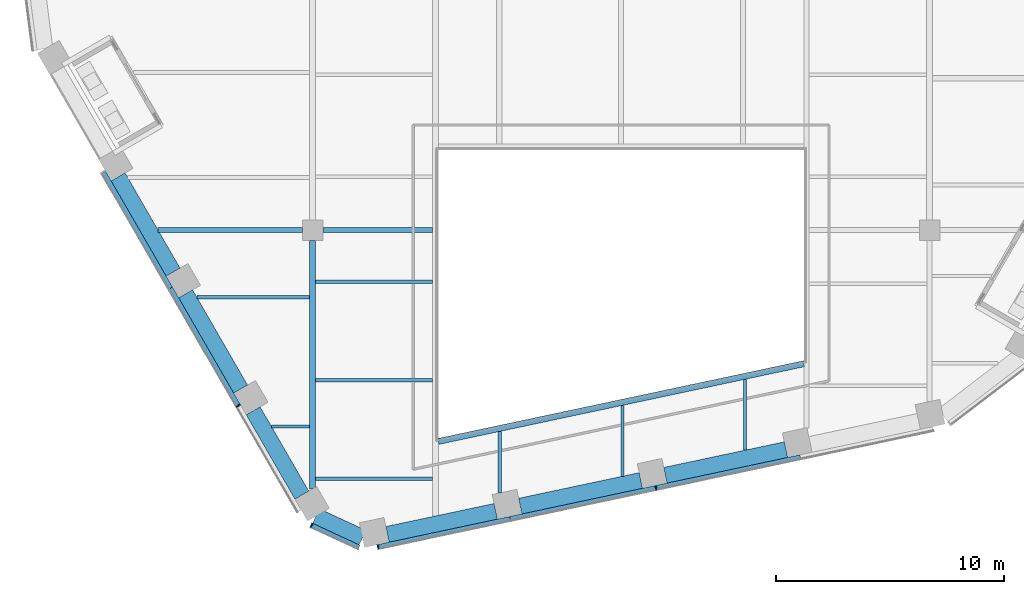
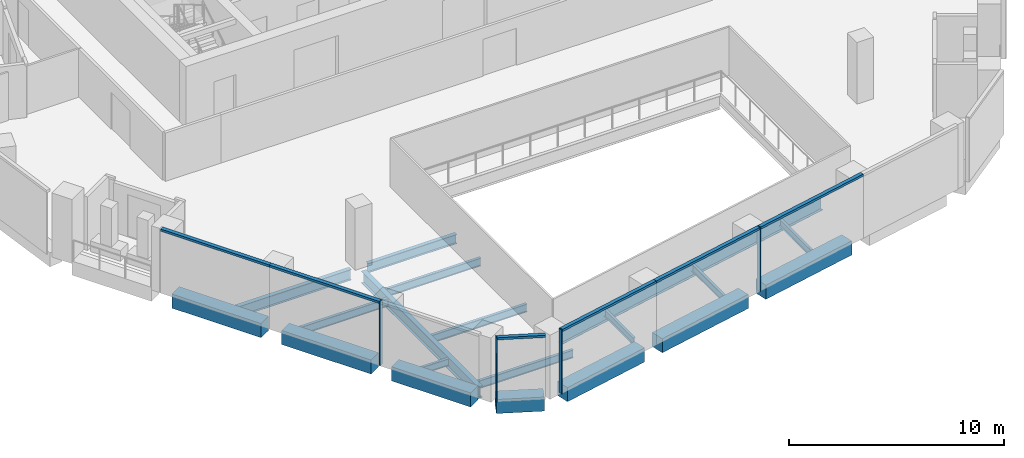
# One storey, part 2 of 24: 19 beams, 10 members, 3 elements without a shape of their own.
"""IFC4 building model written with IfcOpenShell, lengths in metres."""

from ifc_helpers import new_model, si_unit, direction, frame, origin, origin_2d, place, context, subcontext, project, spatial, rectangle, i_section, extrude, material, layer, layer_set, material_profile, profile_set, type_object, element, aggregate, save


model = new_model("IFC4")

# Units and contexts
model_context = context("Model", 3, precision=1e-05, world=origin(), true_north=direction((0.0, 1.0)))
body_context = subcontext(model_context, "Body", "Model", "MODEL_VIEW")
ifc_project = project(units=[si_unit("LENGTHUNIT", "METRE"), si_unit("AREAUNIT", "SQUARE_METRE"), si_unit("VOLUMEUNIT", "CUBIC_METRE"), si_unit("PLANEANGLEUNIT", "RADIAN"), si_unit("MASSUNIT", "GRAM", prefix="KILO")], contexts=[model_context])

# Site, building, storey
site_placement = place(None, origin())
site = spatial("IfcSite", under=ifc_project, at=site_placement, CompositionType="ELEMENT")
building_placement = place(site_placement, origin())
building = spatial("IfcBuilding", under=site, at=building_placement, Name="Isthmus Gate Tower", CompositionType="ELEMENT")
storey_placement = place(building_placement, frame((0.0, 0.0, 219.949951171875)))
storey = spatial("IfcBuildingStorey", under=building, at=storey_placement, Name="L55", CompositionType="ELEMENT", Elevation=219.949951171875)

# Curtain wall, member
ifc_material_1 = material(Name="Aluminium, pale champagne anodised", Category="aluminium")
ifc_layer = layer(ifc_material_1, 0.199951171875)
ifc_layer_set = layer_set([ifc_layer], Name="CW-1 UNITISED CURTAIN WALL 200 DEEP")
curtain_wall_type = type_object("IfcCurtainWallType", Name="CW-1 UNITISED CURTAIN WALL 200 DEEP", PredefinedType="NOTDEFINED", material=ifc_layer_set)
curtain_wall_1_placement = place(storey_placement, origin())
curtain_wall_1 = element("IfcCurtainWall", 1, at=curtain_wall_1_placement, inside=storey, type_object=curtain_wall_type, Name="CW-1 SW L55", PredefinedType="NOTDEFINED")
ifc_material_2 = material(Name="Aluminium, pale champagne anodised", Category="aluminium")
ifc_material_profile_1 = material_profile(ifc_material_2, rectangle(XDim=0.06005859375, YDim=0.199951171875, at=origin_2d()), Name="60x200")
ifc_profile_set_1 = profile_set([ifc_material_profile_1], Name="Aluminium, pale champagne anodised")
member_type_1 = type_object("IfcMemberType", Name="CW-1 MULLION 60 X 200", PredefinedType="MULLION", material=ifc_profile_set_1)
member_1_placement = place(storey_placement, frame((-16.751953125, -21.184814453125, 0.0), z_axis=(0.0, 0.0, 1.0), x_axis=(0.5, -0.866025403784, 0.0)))
member_1 = element("IfcMember", 2, at=member_1_placement, type_object=member_type_1, Name="CW-1 mullion", PredefinedType="MULLION", context=body_context, shape_type="SweptSolid", body=[
    extrude(rectangle(XDim=0.06005859375, YDim=0.199951171875, at=origin_2d()), origin(), (0.0, 0.0, 1.0), 3.650146484375),
])

curtain_wall_2_placement = place(storey_placement, origin())
curtain_wall_2 = element("IfcCurtainWall", 3, at=curtain_wall_2_placement, inside=storey, type_object=curtain_wall_type, Name="CW-1 SW-S L55", PredefinedType="NOTDEFINED")
member_2_placement = place(storey_placement, frame((-13.54833984375, -26.419677734375, 0.0), z_axis=(0.0, 0.0, 1.0), x_axis=(0.907256261367, -0.420578264073, 0.0)))
member_2 = element("IfcMember", 4, at=member_2_placement, type_object=member_type_1, Name="CW-1 mullion", PredefinedType="MULLION", context=body_context, shape_type="SweptSolid", body=[
    extrude(rectangle(XDim=0.06005859375, YDim=0.199951171875, at=origin_2d()), origin(), (0.0, 0.0, 1.0), 3.650146484375),
])

# Curtain wall, members
curtain_wall_3_placement = place(storey_placement, origin())
curtain_wall_3 = element("IfcCurtainWall", 5, at=curtain_wall_3_placement, inside=storey, type_object=curtain_wall_type, Name="CW-1 S L55", PredefinedType="NOTDEFINED")
member_3_placement = place(storey_placement, frame((-10.6376953125, -27.36328125, 0.0), z_axis=(0.0, 0.0, 1.0), x_axis=(0.978147600734, 0.207911690818, 0.0)))
member_3 = element("IfcMember", 6, at=member_3_placement, type_object=member_type_1, Name="CW-1 mullion", PredefinedType="MULLION", context=body_context, shape_type="SweptSolid", body=[
    extrude(rectangle(XDim=0.06005859375, YDim=0.199951171875, at=origin_2d()), origin(), (0.0, 0.0, 1.0), 3.650146484375),
])
member_4_placement = place(storey_placement, frame((1.5244140625, -24.7783203125, 0.0), z_axis=(0.0, 0.0, 1.0), x_axis=(0.978147600734, 0.207911690818, 0.0)))
member_4 = element("IfcMember", 7, at=member_4_placement, type_object=member_type_1, Name="CW-1 mullion", PredefinedType="MULLION", context=body_context, shape_type="SweptSolid", body=[
    extrude(rectangle(XDim=0.06005859375, YDim=0.199951171875, at=origin_2d()), origin(), (0.0, 0.0, 1.0), 3.650146484375),
])

# Member
ifc_material_3 = material(Name="Aluminium, pale champagne anodised", Category="aluminium")
ifc_material_profile_2 = material_profile(ifc_material_3, rectangle(XDim=0.199951171875, YDim=0.1298828125, at=origin_2d()), Name="200x130")
ifc_profile_set_2 = profile_set([ifc_material_profile_2], Name="Aluminium, pale champagne anodised")
member_type_2 = type_object("IfcMemberType", Name="CW-1 TRANSOM 200 X 130", PredefinedType="USERDEFINED", material=ifc_profile_set_2)
member_5_placement = place(storey_placement, frame((-22.6474609375, -10.973388671875, 3.5849609375), z_axis=(0.500007820066, -0.86602088882, 0.0), x_axis=(0.86602088882, 0.500007820066, 0.0)))
member_5 = element("IfcMember", 8, at=member_5_placement, type_object=member_type_2, Name="CW-1 transom", ObjectType="TRANSOM", PredefinedType="USERDEFINED", context=body_context, shape_type="SweptSolid", body=[
    extrude(rectangle(XDim=0.199951171875, YDim=0.1298828125, at=origin_2d()), origin(), (0.0, 0.0, 1.0), 5.8505859375),
])

member_6_placement = place(storey_placement, frame((-19.72216796875, -16.0400390625, 3.5849609375), z_axis=(0.499990610615, -0.866030824681, 0.0), x_axis=(0.866030824681, 0.499990610615, 0.0)))
member_6 = element("IfcMember", 9, at=member_6_placement, type_object=member_type_2, Name="CW-1 transom", ObjectType="TRANSOM", PredefinedType="USERDEFINED", context=body_context, shape_type="SweptSolid", body=[
    extrude(rectangle(XDim=0.199951171875, YDim=0.1298828125, at=origin_2d()), origin(), (0.0, 0.0, 1.0), 5.91064453125),
])

aggregate(curtain_wall_1, [member_5, member_6, member_1])

member_7_placement = place(storey_placement, frame((-13.521240234375, -26.432373046875, 3.5849609375), z_axis=(0.907246225564, -0.420599912268, 0.0), x_axis=(0.420599912268, 0.907246225564, 0.0)))
member_7 = element("IfcMember", 10, at=member_7_placement, type_object=member_type_2, Name="CW-1 transom", ObjectType="TRANSOM", PredefinedType="USERDEFINED", context=body_context, shape_type="SweptSolid", body=[
    extrude(rectangle(XDim=0.199951171875, YDim=0.1298828125, at=origin_2d()), origin(), (0.0, 0.0, 1.0), 2.258544921875),
])

aggregate(curtain_wall_2, [member_2, member_7])

member_8_placement = place(storey_placement, frame((-10.6083984375, -27.357177734375, 3.5849609375), z_axis=(0.978148511799, 0.207907404549, 0.0), x_axis=(-0.207907404549, 0.978148511799, 0.0)))
member_8 = element("IfcMember", 11, at=member_8_placement, type_object=member_type_2, Name="CW-1 transom", ObjectType="TRANSOM", PredefinedType="USERDEFINED", context=body_context, shape_type="SweptSolid", body=[
    extrude(rectangle(XDim=0.199951171875, YDim=0.1298828125, at=origin_2d()), origin(), (0.0, 0.0, 1.0), 5.8818359375),
])

member_9_placement = place(storey_placement, frame((-4.85498046875, -26.13427734375, 3.5849609375), z_axis=(0.978142886198, 0.207933869729, 0.0), x_axis=(-0.207933869729, 0.978142886198, 0.0)))
member_9 = element("IfcMember", 12, at=member_9_placement, type_object=member_type_2, Name="CW-1 transom", ObjectType="TRANSOM", PredefinedType="USERDEFINED", context=body_context, shape_type="SweptSolid", body=[
    extrude(rectangle(XDim=0.199951171875, YDim=0.1298828125, at=origin_2d()), origin(), (0.0, 0.0, 1.0), 6.49169921875),
])

member_10_placement = place(storey_placement, frame((1.5537109375, -24.77197265625, 3.5849609375), z_axis=(0.978150457162, 0.207898251926, 0.0), x_axis=(-0.207898251926, 0.978150457162, 0.0)))
member_10 = element("IfcMember", 13, at=member_10_placement, type_object=member_type_2, Name="CW-1 transom", ObjectType="TRANSOM", PredefinedType="USERDEFINED", context=body_context, shape_type="SweptSolid", body=[
    extrude(rectangle(XDim=0.199951171875, YDim=0.1298828125, at=origin_2d()), origin(), (0.0, 0.0, 1.0), 6.431884765625),
])

aggregate(curtain_wall_3, [member_3, member_8, member_9, member_4, member_10])

# Beams
ifc_material_4 = material(Name="Concrete f'c 50 MPa", Category="concrete")
ifc_material_profile_3 = material_profile(ifc_material_4, rectangle(XDim=0.699951171875, YDim=0.800048828125, at=origin_2d()), Name="RC 700X800")
ifc_profile_set_3 = profile_set([ifc_material_profile_3], Name="Concrete f'c 50 MPa")
beam_type_1 = type_object("IfcBeamType", Name="RC SPANDREL 700 X 800", PredefinedType="SPANDREL", material=ifc_profile_set_3)
for number, where, z_axis, x_axis, name in (
    (14, (7.21337890625, -23.10888671875, -0.39990234375), (-0.978144348563, -0.207926990492, 0.0), (0.207926990492, -0.978144348563, 0.0), "str-spandrel-L55-12"),
    (15, (0.863525390625, -24.458740234375, -0.39990234375), (-0.978155513612, -0.207874460167, 0.0), (0.207874460167, -0.978155513612, 0.0), "str-spandrel-L55-13"),
):
    element("IfcBeam", number, at=place(storey_placement, frame(where, z_axis=z_axis, x_axis=x_axis)), inside=storey, type_object=beam_type_1, Name=name, PredefinedType="SPANDREL", context=body_context, shape_type="SweptSolid", body=[
        extrude(rectangle(XDim=0.699951171875, YDim=0.800048828125, at=origin_2d()), origin(), (0.0, 0.0, 1.0), 5.391845703125),
    ])
beam_1_placement = place(storey_placement, frame((-5.486572265625, -25.808349609375, -0.39990234375), z_axis=(-0.978141291228, -0.207941372495, 0.0), x_axis=(0.207941372495, -0.978141291228, 0.0)))
element("IfcBeam", 16, at=beam_1_placement, inside=storey, type_object=beam_type_1, Name="str-spandrel-L55-14", PredefinedType="SPANDREL", context=body_context, shape_type="SweptSolid", body=[
    extrude(rectangle(XDim=0.699951171875, YDim=0.800048828125, at=origin_2d()), origin(), (0.0, 0.0, 1.0), 4.842041015625),
])
beam_2_placement = place(storey_placement, frame((-11.31689453125, -26.958251953125, -0.39990234375), z_axis=(-0.907254968276, 0.42058105347, 0.0), x_axis=(-0.42058105347, -0.907254968276, 0.0)))
element("IfcBeam", 17, at=beam_2_placement, inside=storey, type_object=beam_type_1, Name="str-spandrel-L55-15", PredefinedType="SPANDREL", context=body_context, shape_type="SweptSolid", body=[
    extrude(rectangle(XDim=0.699951171875, YDim=0.800048828125, at=origin_2d()), origin(), (0.0, 0.0, 1.0), 2.245849609375),
])
beam_3_placement = place(storey_placement, frame((-13.971923828125, -25.10009765625, -0.39990234375), z_axis=(-0.499996907167, 0.866027189425, 0.0), x_axis=(-0.866027189425, -0.499996907167, 0.0)))
element("IfcBeam", 18, at=beam_3_placement, inside=storey, type_object=beam_type_1, Name="str-spandrel-L55-16", PredefinedType="SPANDREL", context=body_context, shape_type="SweptSolid", body=[
    extrude(rectangle(XDim=0.699951171875, YDim=0.800048828125, at=origin_2d()), origin(), (0.0, 0.0, 1.0), 4.2607421875),
])
for number, where, z_axis, x_axis, name in (
    (19, (-16.652099609375, -20.45751953125, -0.39990234375), (-0.500003616288, 0.866023315909, 0.0), (-0.866023315909, -0.500003616288, 0.0), "str-spandrel-L55-17"),
    (20, (-19.607421875, -15.3388671875, -0.39990234375), (-0.500003616288, 0.866023315909, 0.0), (-0.866023315909, -0.500003616288, 0.0), "str-spandrel-L55-18"),
):
    element("IfcBeam", number, at=place(storey_placement, frame(where, z_axis=z_axis, x_axis=x_axis)), inside=storey, type_object=beam_type_1, Name=name, PredefinedType="SPANDREL", context=body_context, shape_type="SweptSolid", body=[
        extrude(rectangle(XDim=0.699951171875, YDim=0.800048828125, at=origin_2d()), origin(), (0.0, 0.0, 1.0), 4.810546875),
    ])
ifc_material_5 = material(Name="Structural steel ASTM A992 Gr 50", Category="steel")
ifc_material_profile_4 = material_profile(ifc_material_5, i_section(OverallWidth=0.1396484375, OverallDepth=0.4033203125, WebThickness=0.00634765625, FlangeThickness=0.010986328125, at=origin_2d()), Name="W16X31")
ifc_profile_set_4 = profile_set([ifc_material_profile_4], Name="Structural steel ASTM A992 Gr 50")
beam_type_2 = type_object("IfcBeamType", Name="STEEL FLOOR BEAM W16X31", PredefinedType="JOIST", material=ifc_profile_set_4)
beam_4_placement = place(storey_placement, frame((-15.30126953125, -22.097412109375, -0.3515625), z_axis=(1.0, 0.0, 0.0), x_axis=(0.0, 1.0, 0.0)))
element("IfcBeam", 21, at=beam_4_placement, inside=storey, type_object=beam_type_2, Name="str-beam-L55-04-00", PredefinedType="JOIST", context=body_context, shape_type="SweptSolid", body=[
    extrude(i_section(OverallWidth=0.1396484375, OverallDepth=0.4033203125, WebThickness=0.00634765625, FlangeThickness=0.010986328125, at=origin_2d()), origin(), (0.0, 0.0, 1.0), 1.67431640625),
])
beam_5_placement = place(storey_placement, frame((-5.314208984375, -25.005126953125, -0.3515625), z_axis=(0.0, 1.0, 0.0), x_axis=(-1.0, 0.0, 0.0)))
element("IfcBeam", 22, at=beam_5_placement, inside=storey, type_object=beam_type_2, Name="str-beam-L55-08-00", PredefinedType="JOIST", context=body_context, shape_type="SweptSolid", body=[
    extrude(i_section(OverallWidth=0.1396484375, OverallDepth=0.4033203125, WebThickness=0.00634765625, FlangeThickness=0.010986328125, at=origin_2d()), origin(), (0.0, 0.0, 1.0), 2.692138671875),
])
for number, where, z_axis, x_axis, name in (
    (23, (0.05712890625, -24.272216796875, -0.3515625), (0.0, 1.0, 0.0), (-1.0, 0.0, 0.0), "str-beam-L55-08-01"),
    (24, (5.428466796875, -23.13037109375, -0.3515625), (0.0, 1.0, 0.0), (-1.0, 0.0, 0.0), "str-beam-L55-08-02"),
):
    element("IfcBeam", number, at=place(storey_placement, frame(where, z_axis=z_axis, x_axis=x_axis)), inside=storey, type_object=beam_type_2, Name=name, PredefinedType="JOIST", context=body_context, shape_type="SweptSolid", body=[
        extrude(i_section(OverallWidth=0.1396484375, OverallDepth=0.4033203125, WebThickness=0.00634765625, FlangeThickness=0.010986328125, at=origin_2d()), origin(), (0.0, 0.0, 1.0), 3.10107421875),
    ])
ifc_material_6 = material(Name="Structural steel ASTM A992 Gr 50", Category="steel")
ifc_material_profile_5 = material_profile(ifc_material_6, i_section(OverallWidth=0.15234375, OverallDepth=0.45068359375, WebThickness=0.0078125, FlangeThickness=0.010986328125, at=origin_2d()), Name="W18X35")
ifc_profile_set_5 = profile_set([ifc_material_profile_5], Name="Structural steel ASTM A992 Gr 50")
beam_type_3 = type_object("IfcBeamType", Name="STEEL FLOOR BEAM W18X35", PredefinedType="JOIST", material=ifc_profile_set_5)
beam_6_placement = place(storey_placement, frame((-18.56640625, -16.44189453125, -0.375244140625), z_axis=(1.0, 0.0, 0.0), x_axis=(0.0, 1.0, 0.0)))
element("IfcBeam", 25, at=beam_6_placement, inside=storey, type_object=beam_type_3, Name="str-beam-L55-04-01", PredefinedType="JOIST", context=body_context, shape_type="SweptSolid", body=[
    extrude(i_section(OverallWidth=0.15234375, OverallDepth=0.45068359375, WebThickness=0.0078125, FlangeThickness=0.010986328125, at=origin_2d()), origin(), (0.0, 0.0, 1.0), 4.939453125),
])
for number, where, z_axis, x_axis, name in (
    (26, (-13.373046875, -24.3759765625, -0.375244140625), (1.0, 0.0, 0.0), (0.0, 1.0, 0.0), "str-beam-L55-06-00"),
    (27, (-13.373046875, -20.0673828125, -0.375244140625), (1.0, 0.0, 0.0), (0.0, 1.0, 0.0), "str-beam-L55-06-01"),
    (28, (-13.373046875, -15.759033203125, -0.375244140625), (1.0, 0.0, 0.0), (0.0, 1.0, 0.0), "str-beam-L55-06-02"),
):
    element("IfcBeam", number, at=place(storey_placement, frame(where, z_axis=z_axis, x_axis=x_axis)), inside=storey, type_object=beam_type_3, Name=name, PredefinedType="JOIST", context=body_context, shape_type="SweptSolid", body=[
        extrude(i_section(OverallWidth=0.15234375, OverallDepth=0.45068359375, WebThickness=0.0078125, FlangeThickness=0.010986328125, at=origin_2d()), origin(), (0.0, 0.0, 1.0), 5.109619140625),
    ])
ifc_material_7 = material(Name="Structural steel ASTM A992 Gr 50", Category="steel")
ifc_material_profile_6 = material_profile(ifc_material_7, i_section(OverallWidth=0.20947265625, OverallDepth=0.533447265625, WebThickness=0.009521484375, FlangeThickness=0.015869140625, at=origin_2d()), Name="W21X62")
ifc_profile_set_6 = profile_set([ifc_material_profile_6], Name="Structural steel ASTM A992 Gr 50")
beam_type_4 = type_object("IfcBeamType", Name="STEEL GIRDER W21X62", PredefinedType="BEAM", material=ifc_profile_set_6)
beam_7_placement = place(storey_placement, frame((-13.050048828125, -13.5, -0.416748046875), z_axis=(1.0, 0.0, 0.0), x_axis=(0.0, 1.0, 0.0)))
element("IfcBeam", 29, at=beam_7_placement, inside=storey, type_object=beam_type_4, Name="str-girder-L55-02", PredefinedType="BEAM", context=body_context, shape_type="SweptSolid", body=[
    extrude(i_section(OverallWidth=0.20947265625, OverallDepth=0.533447265625, WebThickness=0.009521484375, FlangeThickness=0.015869140625, at=origin_2d()), origin(), (0.0, 0.0, 1.0), 4.78662109375),
])
ifc_material_8 = material(Name="Structural steel ASTM A992 Gr 50", Category="steel")
ifc_material_profile_7 = material_profile(ifc_material_8, i_section(OverallWidth=0.228515625, OverallDepth=0.603271484375, WebThickness=0.010986328125, FlangeThickness=0.014404296875, at=origin_2d()), Name="W24X68")
ifc_profile_set_7 = profile_set([ifc_material_profile_7], Name="Structural steel ASTM A992 Gr 50")
beam_type_5 = type_object("IfcBeamType", Name="STEEL GIRDER W24X68", PredefinedType="BEAM", material=ifc_profile_set_7)
beam_8_placement = place(storey_placement, frame((-20.264892578125, -13.5, -0.45166015625), z_axis=(1.0, 0.0, 0.0), x_axis=(0.0, 1.0, 0.0)))
element("IfcBeam", 30, at=beam_8_placement, inside=storey, type_object=beam_type_5, Name="str-girder-L55-01", PredefinedType="BEAM", context=body_context, shape_type="SweptSolid", body=[
    extrude(i_section(OverallWidth=0.228515625, OverallDepth=0.603271484375, WebThickness=0.010986328125, FlangeThickness=0.014404296875, at=origin_2d()), origin(), (0.0, 0.0, 1.0), 6.31494140625),
])
ifc_material_9 = material(Name="Structural steel ASTM A992 Gr 50", Category="steel")
ifc_material_profile_8 = material_profile(ifc_material_9, i_section(OverallWidth=0.25390625, OverallDepth=0.679443359375, WebThickness=0.010986328125, FlangeThickness=0.015869140625, at=origin_2d()), Name="W27X84")
ifc_profile_set_8 = profile_set([ifc_material_profile_8], Name="Structural steel ASTM A992 Gr 50")
beam_type_6 = type_object("IfcBeamType", Name="STEEL GIRDER W27X84", PredefinedType="BEAM", material=ifc_profile_set_8)
beam_9_placement = place(storey_placement, frame((-13.5, -24.82763671875, -0.48974609375), z_axis=(0.0, 1.0, 0.0), x_axis=(-1.0, 0.0, 0.0)))
element("IfcBeam", 31, at=beam_9_placement, inside=storey, type_object=beam_type_6, Name="str-girder-L55-05", PredefinedType="BEAM", context=body_context, shape_type="SweptSolid", body=[
    extrude(i_section(OverallWidth=0.25390625, OverallDepth=0.679443359375, WebThickness=0.010986328125, FlangeThickness=0.015869140625, at=origin_2d()), origin(), (0.0, 0.0, 1.0), 10.877685546875),
])
ifc_material_10 = material(Name="Structural steel ASTM A992 Gr 50", Category="steel")
ifc_material_profile_9 = material_profile(ifc_material_10, i_section(OverallWidth=0.2666015625, OverallDepth=0.7587890625, WebThickness=0.014404296875, FlangeThickness=0.01904296875, at=origin_2d()), Name="W30X108")
ifc_profile_set_9 = profile_set([ifc_material_profile_9], Name="Structural steel ASTM A992 Gr 50")
beam_type_7 = type_object("IfcBeamType", Name="STEEL TRIMMER W30X108", PredefinedType="BEAM", material=ifc_profile_set_9)
beam_10_placement = place(storey_placement, frame((-8.0, -22.747314453125, -0.529296875), z_axis=(0.978147924985, 0.20791016533, 0.0), x_axis=(-0.20791016533, 0.978147924985, 0.0)))
element("IfcBeam", 32, at=beam_10_placement, inside=storey, type_object=beam_type_7, Name="str-trimmer-L55-03", PredefinedType="BEAM", context=body_context, shape_type="SweptSolid", body=[
    extrude(i_section(OverallWidth=0.2666015625, OverallDepth=0.7587890625, WebThickness=0.014404296875, FlangeThickness=0.01904296875, at=origin_2d()), origin(), (0.0, 0.0, 1.0), 16.357421875),
])

save(model, "model.ifc")
